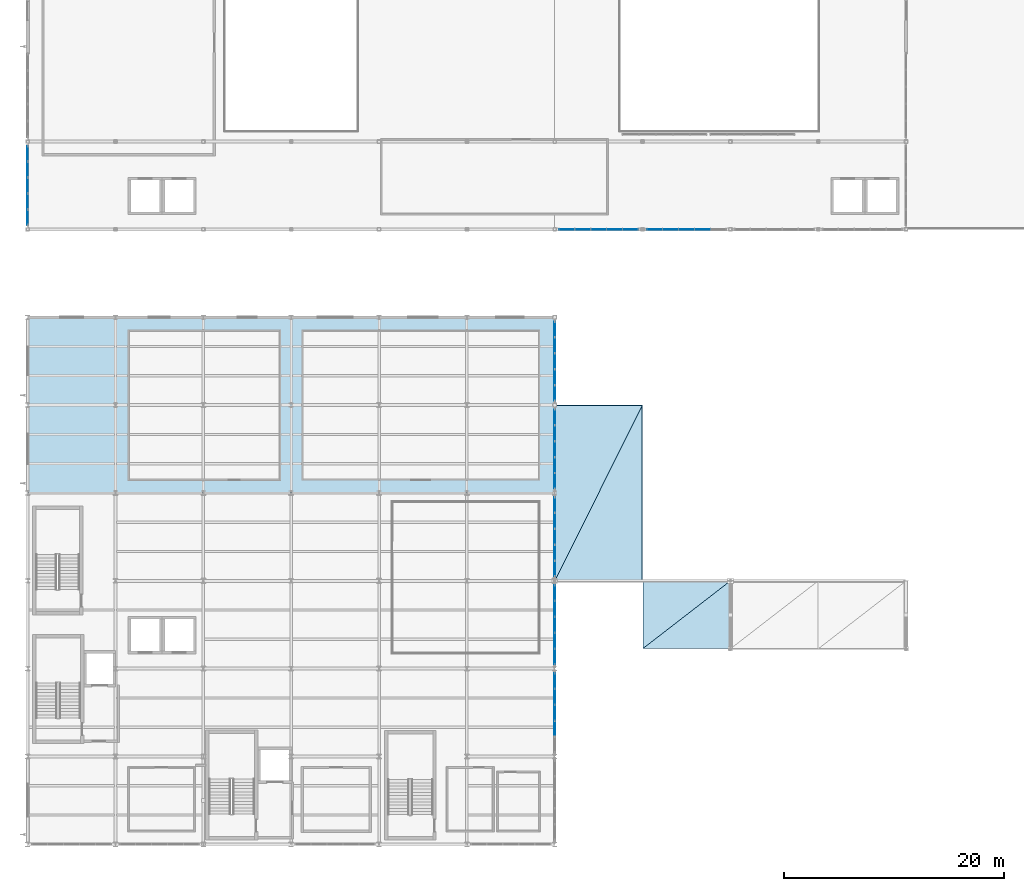
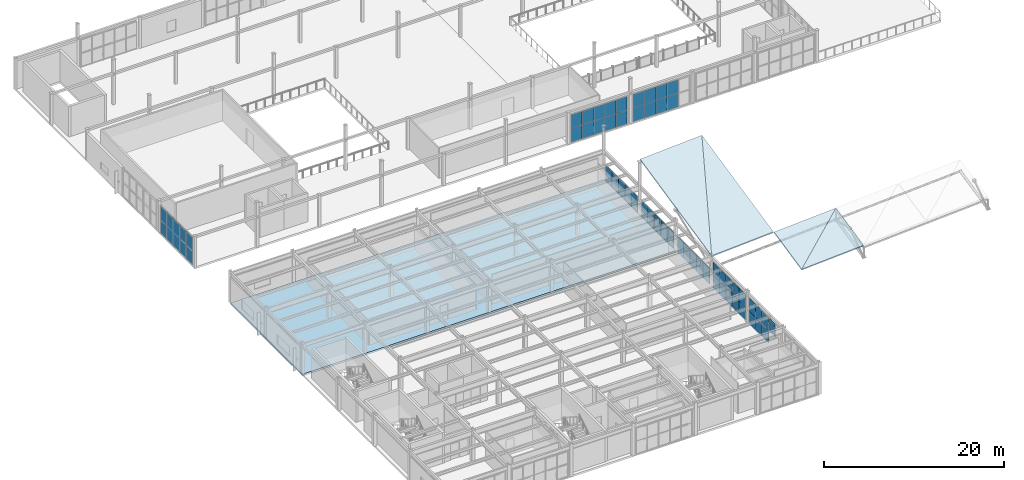
# One storey, part 47 of 83: 60 plates, 5 slabs, 8 elements without a shape of their own.
"""IFC4 building model written with IfcOpenShell, lengths in metres."""

from ifc_helpers import new_model, si_unit, direction, frame, origin, origin_2d, place, context, subcontext, project, spatial, polyline, rectangle, outline, extrude, material, layer, layer_set, type_object, element, aggregate, save


model = new_model("IFC4")

# Units and contexts
model_context = context("Model", 3, precision=1e-05, world=origin(), true_north=direction((0.0, 1.0)))
body_context = subcontext(model_context, "Body", "Model", "MODEL_VIEW")
ifc_project = project(units=[si_unit("LENGTHUNIT", "METRE"), si_unit("AREAUNIT", "SQUARE_METRE"), si_unit("VOLUMEUNIT", "CUBIC_METRE"), si_unit("PLANEANGLEUNIT", "RADIAN"), si_unit("MASSUNIT", "GRAM", prefix="KILO")], contexts=[model_context])

# Site, building, storey
site_placement = place(None, origin())
site = spatial("IfcSite", under=ifc_project, at=site_placement, CompositionType="ELEMENT")
building_placement = place(site_placement, origin())
building = spatial("IfcBuilding", under=site, at=building_placement, Name="Drelvath Fold Interchange", CompositionType="ELEMENT")
storey_placement = place(building_placement, frame((0.0, 0.0, 11.199951171875)))
storey = spatial("IfcBuildingStorey", under=building, at=storey_placement, Name="L02", CompositionType="ELEMENT", Elevation=11.199951171875)

# Curtain wall, plates
ifc_material_1 = material(Name="Anodized Aluminium 6063-T6", Category="aluminium")
curtain_wall_type_1 = type_object("IfcCurtainWallType", Name="CW-CON-520", PredefinedType="USERDEFINED", material=ifc_material_1)
curtain_wall_1_placement = place(storey_placement, origin())
curtain_wall_1 = element("IfcCurtainWall", 1, at=curtain_wall_1_placement, inside=storey, type_object=curtain_wall_type_1, Name="Curtain wall CW-V1-L02-W59", ObjectType="UNITISED CURTAIN WALL", PredefinedType="USERDEFINED")
ifc_material_2 = material(Name="Low-Iron Insulated Laminated Glass", Category="glass")
ifc_layer_1 = layer(ifc_material_2, 0.05810546875, Name="Low-Iron Insulated Laminated Glass")
ifc_layer_set_1 = layer_set([ifc_layer_1], Name="Low-Iron Insulated Laminated Glass")
plate_type_1 = type_object("IfcPlateType", Name="CP-CON-B", PredefinedType="CURTAIN_PANEL", material=ifc_layer_set_1)
plate_1_placement = place(storey_placement, frame((4.0, 60.10791015625, 0.0400390625), z_axis=(0.0, 0.0, 1.0), x_axis=(0.0, 1.0, 0.0)))
plate_1 = element("IfcPlate", 2, at=plate_1_placement, type_object=plate_type_1, Name="CW-V1-L02-W59 glazed panel 0-0", PredefinedType="CURTAIN_PANEL", context=body_context, shape_type="SweptSolid", body=[
    extrude(rectangle(XDim=1.39599609375, YDim=0.05810546875, at=origin_2d()), origin(), (0.0, 0.0, 1.0), 1.85009765625),
])
plate_2_placement = place(storey_placement, frame((4.0, 60.10791015625, 1.909912109375), z_axis=(0.0, 0.0, 1.0), x_axis=(0.0, 1.0, 0.0)))
plate_2 = element("IfcPlate", 3, at=plate_2_placement, type_object=plate_type_1, Name="CW-V1-L02-W59 glazed panel 0-1", PredefinedType="CURTAIN_PANEL", context=body_context, shape_type="SweptSolid", body=[
    extrude(rectangle(XDim=1.39599609375, YDim=0.05810546875, at=origin_2d()), origin(), (0.0, 0.0, 1.0), 1.85009765625),
])
plate_3_placement = place(storey_placement, frame((4.0, 61.5439453125, 0.0400390625), z_axis=(0.0, 0.0, 1.0), x_axis=(0.0, 1.0, 0.0)))
plate_3 = element("IfcPlate", 4, at=plate_3_placement, type_object=plate_type_1, Name="CW-V1-L02-W59 glazed panel 1-0", PredefinedType="CURTAIN_PANEL", context=body_context, shape_type="SweptSolid", body=[
    extrude(rectangle(XDim=1.43603515625, YDim=0.05810546875, at=origin_2d()), origin(), (0.0, 0.0, 1.0), 1.85009765625),
])
plate_4_placement = place(storey_placement, frame((4.0, 61.5439453125, 1.909912109375), z_axis=(0.0, 0.0, 1.0), x_axis=(0.0, 1.0, 0.0)))
plate_4 = element("IfcPlate", 5, at=plate_4_placement, type_object=plate_type_1, Name="CW-V1-L02-W59 glazed panel 1-1", PredefinedType="CURTAIN_PANEL", context=body_context, shape_type="SweptSolid", body=[
    extrude(rectangle(XDim=1.43603515625, YDim=0.05810546875, at=origin_2d()), origin(), (0.0, 0.0, 1.0), 1.85009765625),
])
plate_5_placement = place(storey_placement, frame((4.0, 63.0, 0.0400390625), z_axis=(0.0, 0.0, 1.0), x_axis=(0.0, 1.0, 0.0)))
plate_5 = element("IfcPlate", 6, at=plate_5_placement, type_object=plate_type_1, Name="CW-V1-L02-W59 glazed panel 2-0", PredefinedType="CURTAIN_PANEL", context=body_context, shape_type="SweptSolid", body=[
    extrude(rectangle(XDim=1.43603515625, YDim=0.05810546875, at=origin_2d()), origin(), (0.0, 0.0, 1.0), 1.85009765625),
])
plate_6_placement = place(storey_placement, frame((4.0, 63.0, 1.909912109375), z_axis=(0.0, 0.0, 1.0), x_axis=(0.0, 1.0, 0.0)))
plate_6 = element("IfcPlate", 7, at=plate_6_placement, type_object=plate_type_1, Name="CW-V1-L02-W59 glazed panel 2-1", PredefinedType="CURTAIN_PANEL", context=body_context, shape_type="SweptSolid", body=[
    extrude(rectangle(XDim=1.43603515625, YDim=0.05810546875, at=origin_2d()), origin(), (0.0, 0.0, 1.0), 1.85009765625),
])
plate_7_placement = place(storey_placement, frame((4.0, 64.4560546875, 0.0400390625), z_axis=(0.0, 0.0, 1.0), x_axis=(0.0, 1.0, 0.0)))
plate_7 = element("IfcPlate", 8, at=plate_7_placement, type_object=plate_type_1, Name="CW-V1-L02-W59 glazed panel 3-0", PredefinedType="CURTAIN_PANEL", context=body_context, shape_type="SweptSolid", body=[
    extrude(rectangle(XDim=1.43603515625, YDim=0.05810546875, at=origin_2d()), origin(), (0.0, 0.0, 1.0), 1.85009765625),
])
plate_8_placement = place(storey_placement, frame((4.0, 64.4560546875, 1.909912109375), z_axis=(0.0, 0.0, 1.0), x_axis=(0.0, 1.0, 0.0)))
plate_8 = element("IfcPlate", 9, at=plate_8_placement, type_object=plate_type_1, Name="CW-V1-L02-W59 glazed panel 3-1", PredefinedType="CURTAIN_PANEL", context=body_context, shape_type="SweptSolid", body=[
    extrude(rectangle(XDim=1.43603515625, YDim=0.05810546875, at=origin_2d()), origin(), (0.0, 0.0, 1.0), 1.85009765625),
])
plate_9_placement = place(storey_placement, frame((4.0, 65.89208984375, 0.0400390625), z_axis=(0.0, 0.0, 1.0), x_axis=(0.0, 1.0, 0.0)))
plate_9 = element("IfcPlate", 10, at=plate_9_placement, type_object=plate_type_1, Name="CW-V1-L02-W59 glazed panel 4-0", PredefinedType="CURTAIN_PANEL", context=body_context, shape_type="SweptSolid", body=[
    extrude(rectangle(XDim=1.39599609375, YDim=0.05810546875, at=origin_2d()), origin(), (0.0, 0.0, 1.0), 1.85009765625),
])
plate_10_placement = place(storey_placement, frame((4.0, 65.89208984375, 1.909912109375), z_axis=(0.0, 0.0, 1.0), x_axis=(0.0, 1.0, 0.0)))
plate_10 = element("IfcPlate", 11, at=plate_10_placement, type_object=plate_type_1, Name="CW-V1-L02-W59 glazed panel 4-1", PredefinedType="CURTAIN_PANEL", context=body_context, shape_type="SweptSolid", body=[
    extrude(rectangle(XDim=1.39599609375, YDim=0.05810546875, at=origin_2d()), origin(), (0.0, 0.0, 1.0), 1.85009765625),
])
aggregate(curtain_wall_1, [plate_1, plate_2, plate_3, plate_4, plate_5, plate_6, plate_7, plate_8, plate_9, plate_10])

curtain_wall_type_2 = type_object("IfcCurtainWallType", Name="CW-CON-440", PredefinedType="USERDEFINED", material=ifc_material_1)
curtain_wall_2_placement = place(storey_placement, origin())
curtain_wall_2 = element("IfcCurtainWall", 12, at=curtain_wall_2_placement, inside=storey, type_object=curtain_wall_type_2, Name="Curtain wall CW-V1S-L02-X52", ObjectType="UNITISED CURTAIN WALL", PredefinedType="USERDEFINED")
plate_11_placement = place(storey_placement, frame((53.10791015625, 59.0, 0.0400390625), z_axis=(0.0, 0.0, 1.0), x_axis=(1.0, 0.0, 0.0)))
plate_11 = element("IfcPlate", 13, at=plate_11_placement, type_object=plate_type_1, Name="CW-V1S-L02-X52 glazed panel 0-0", PredefinedType="CURTAIN_PANEL", context=body_context, shape_type="SweptSolid", body=[
    extrude(rectangle(XDim=1.39599609375, YDim=0.05810546875, at=origin_2d()), origin(), (0.0, 0.0, 1.0), 1.85009765625),
])
plate_12_placement = place(storey_placement, frame((53.10791015625, 59.0, 1.909912109375), z_axis=(0.0, 0.0, 1.0), x_axis=(1.0, 0.0, 0.0)))
plate_12 = element("IfcPlate", 14, at=plate_12_placement, type_object=plate_type_1, Name="CW-V1S-L02-X52 glazed panel 0-1", PredefinedType="CURTAIN_PANEL", context=body_context, shape_type="SweptSolid", body=[
    extrude(rectangle(XDim=1.39599609375, YDim=0.05810546875, at=origin_2d()), origin(), (0.0, 0.0, 1.0), 1.85009765625),
])
plate_13_placement = place(storey_placement, frame((54.5439453125, 59.0, 0.0400390625), z_axis=(0.0, 0.0, 1.0), x_axis=(1.0, 0.0, 0.0)))
plate_13 = element("IfcPlate", 15, at=plate_13_placement, type_object=plate_type_1, Name="CW-V1S-L02-X52 glazed panel 1-0", PredefinedType="CURTAIN_PANEL", context=body_context, shape_type="SweptSolid", body=[
    extrude(rectangle(XDim=1.43603515625, YDim=0.05810546875, at=origin_2d()), origin(), (0.0, 0.0, 1.0), 1.85009765625),
])
plate_14_placement = place(storey_placement, frame((54.5439453125, 59.0, 1.909912109375), z_axis=(0.0, 0.0, 1.0), x_axis=(1.0, 0.0, 0.0)))
plate_14 = element("IfcPlate", 16, at=plate_14_placement, type_object=plate_type_1, Name="CW-V1S-L02-X52 glazed panel 1-1", PredefinedType="CURTAIN_PANEL", context=body_context, shape_type="SweptSolid", body=[
    extrude(rectangle(XDim=1.43603515625, YDim=0.05810546875, at=origin_2d()), origin(), (0.0, 0.0, 1.0), 1.85009765625),
])
plate_15_placement = place(storey_placement, frame((56.0, 59.0, 0.0400390625), z_axis=(0.0, 0.0, 1.0), x_axis=(1.0, 0.0, 0.0)))
plate_15 = element("IfcPlate", 17, at=plate_15_placement, type_object=plate_type_1, Name="CW-V1S-L02-X52 glazed panel 2-0", PredefinedType="CURTAIN_PANEL", context=body_context, shape_type="SweptSolid", body=[
    extrude(rectangle(XDim=1.43603515625, YDim=0.05810546875, at=origin_2d()), origin(), (0.0, 0.0, 1.0), 1.85009765625),
])
plate_16_placement = place(storey_placement, frame((56.0, 59.0, 1.909912109375), z_axis=(0.0, 0.0, 1.0), x_axis=(1.0, 0.0, 0.0)))
plate_16 = element("IfcPlate", 18, at=plate_16_placement, type_object=plate_type_1, Name="CW-V1S-L02-X52 glazed panel 2-1", PredefinedType="CURTAIN_PANEL", context=body_context, shape_type="SweptSolid", body=[
    extrude(rectangle(XDim=1.43603515625, YDim=0.05810546875, at=origin_2d()), origin(), (0.0, 0.0, 1.0), 1.85009765625),
])
plate_17_placement = place(storey_placement, frame((57.4560546875, 59.0, 0.0400390625), z_axis=(0.0, 0.0, 1.0), x_axis=(1.0, 0.0, 0.0)))
plate_17 = element("IfcPlate", 19, at=plate_17_placement, type_object=plate_type_1, Name="CW-V1S-L02-X52 glazed panel 3-0", PredefinedType="CURTAIN_PANEL", context=body_context, shape_type="SweptSolid", body=[
    extrude(rectangle(XDim=1.43603515625, YDim=0.05810546875, at=origin_2d()), origin(), (0.0, 0.0, 1.0), 1.85009765625),
])
plate_18_placement = place(storey_placement, frame((57.4560546875, 59.0, 1.909912109375), z_axis=(0.0, 0.0, 1.0), x_axis=(1.0, 0.0, 0.0)))
plate_18 = element("IfcPlate", 20, at=plate_18_placement, type_object=plate_type_1, Name="CW-V1S-L02-X52 glazed panel 3-1", PredefinedType="CURTAIN_PANEL", context=body_context, shape_type="SweptSolid", body=[
    extrude(rectangle(XDim=1.43603515625, YDim=0.05810546875, at=origin_2d()), origin(), (0.0, 0.0, 1.0), 1.85009765625),
])
plate_19_placement = place(storey_placement, frame((58.89208984375, 59.0, 0.0400390625), z_axis=(0.0, 0.0, 1.0), x_axis=(1.0, 0.0, 0.0)))
plate_19 = element("IfcPlate", 21, at=plate_19_placement, type_object=plate_type_1, Name="CW-V1S-L02-X52 glazed panel 4-0", PredefinedType="CURTAIN_PANEL", context=body_context, shape_type="SweptSolid", body=[
    extrude(rectangle(XDim=1.39599609375, YDim=0.05810546875, at=origin_2d()), origin(), (0.0, 0.0, 1.0), 1.85009765625),
])
plate_20_placement = place(storey_placement, frame((58.89208984375, 59.0, 1.909912109375), z_axis=(0.0, 0.0, 1.0), x_axis=(1.0, 0.0, 0.0)))
plate_20 = element("IfcPlate", 22, at=plate_20_placement, type_object=plate_type_1, Name="CW-V1S-L02-X52 glazed panel 4-1", PredefinedType="CURTAIN_PANEL", context=body_context, shape_type="SweptSolid", body=[
    extrude(rectangle(XDim=1.39599609375, YDim=0.05810546875, at=origin_2d()), origin(), (0.0, 0.0, 1.0), 1.85009765625),
])
aggregate(curtain_wall_2, [plate_11, plate_12, plate_13, plate_14, plate_15, plate_16, plate_17, plate_18, plate_19, plate_20])

curtain_wall_3_placement = place(storey_placement, origin())
curtain_wall_3 = element("IfcCurtainWall", 23, at=curtain_wall_3_placement, inside=storey, type_object=curtain_wall_type_2, Name="Curtain wall CW-V1S-L02-X60", ObjectType="UNITISED CURTAIN WALL", PredefinedType="USERDEFINED")
plate_21_placement = place(storey_placement, frame((61.10791015625, 59.0, 0.0400390625), z_axis=(0.0, 0.0, 1.0), x_axis=(1.0, 0.0, 0.0)))
plate_21 = element("IfcPlate", 24, at=plate_21_placement, type_object=plate_type_1, Name="CW-V1S-L02-X60 glazed panel 0-0", PredefinedType="CURTAIN_PANEL", context=body_context, shape_type="SweptSolid", body=[
    extrude(rectangle(XDim=1.39599609375, YDim=0.05810546875, at=origin_2d()), origin(), (0.0, 0.0, 1.0), 1.85009765625),
])
plate_22_placement = place(storey_placement, frame((61.10791015625, 59.0, 1.909912109375), z_axis=(0.0, 0.0, 1.0), x_axis=(1.0, 0.0, 0.0)))
plate_22 = element("IfcPlate", 25, at=plate_22_placement, type_object=plate_type_1, Name="CW-V1S-L02-X60 glazed panel 0-1", PredefinedType="CURTAIN_PANEL", context=body_context, shape_type="SweptSolid", body=[
    extrude(rectangle(XDim=1.39599609375, YDim=0.05810546875, at=origin_2d()), origin(), (0.0, 0.0, 1.0), 1.85009765625),
])
plate_23_placement = place(storey_placement, frame((62.5439453125, 59.0, 0.0400390625), z_axis=(0.0, 0.0, 1.0), x_axis=(1.0, 0.0, 0.0)))
plate_23 = element("IfcPlate", 26, at=plate_23_placement, type_object=plate_type_1, Name="CW-V1S-L02-X60 glazed panel 1-0", PredefinedType="CURTAIN_PANEL", context=body_context, shape_type="SweptSolid", body=[
    extrude(rectangle(XDim=1.43603515625, YDim=0.05810546875, at=origin_2d()), origin(), (0.0, 0.0, 1.0), 1.85009765625),
])
plate_24_placement = place(storey_placement, frame((62.5439453125, 59.0, 1.909912109375), z_axis=(0.0, 0.0, 1.0), x_axis=(1.0, 0.0, 0.0)))
plate_24 = element("IfcPlate", 27, at=plate_24_placement, type_object=plate_type_1, Name="CW-V1S-L02-X60 glazed panel 1-1", PredefinedType="CURTAIN_PANEL", context=body_context, shape_type="SweptSolid", body=[
    extrude(rectangle(XDim=1.43603515625, YDim=0.05810546875, at=origin_2d()), origin(), (0.0, 0.0, 1.0), 1.85009765625),
])
plate_25_placement = place(storey_placement, frame((64.0, 59.0, 0.0400390625), z_axis=(0.0, 0.0, 1.0), x_axis=(1.0, 0.0, 0.0)))
plate_25 = element("IfcPlate", 28, at=plate_25_placement, type_object=plate_type_1, Name="CW-V1S-L02-X60 glazed panel 2-0", PredefinedType="CURTAIN_PANEL", context=body_context, shape_type="SweptSolid", body=[
    extrude(rectangle(XDim=1.43603515625, YDim=0.05810546875, at=origin_2d()), origin(), (0.0, 0.0, 1.0), 1.85009765625),
])
plate_26_placement = place(storey_placement, frame((64.0, 59.0, 1.909912109375), z_axis=(0.0, 0.0, 1.0), x_axis=(1.0, 0.0, 0.0)))
plate_26 = element("IfcPlate", 29, at=plate_26_placement, type_object=plate_type_1, Name="CW-V1S-L02-X60 glazed panel 2-1", PredefinedType="CURTAIN_PANEL", context=body_context, shape_type="SweptSolid", body=[
    extrude(rectangle(XDim=1.43603515625, YDim=0.05810546875, at=origin_2d()), origin(), (0.0, 0.0, 1.0), 1.85009765625),
])
plate_27_placement = place(storey_placement, frame((65.4560546875, 59.0, 0.0400390625), z_axis=(0.0, 0.0, 1.0), x_axis=(1.0, 0.0, 0.0)))
plate_27 = element("IfcPlate", 30, at=plate_27_placement, type_object=plate_type_1, Name="CW-V1S-L02-X60 glazed panel 3-0", PredefinedType="CURTAIN_PANEL", context=body_context, shape_type="SweptSolid", body=[
    extrude(rectangle(XDim=1.43603515625, YDim=0.05810546875, at=origin_2d()), origin(), (0.0, 0.0, 1.0), 1.85009765625),
])
plate_28_placement = place(storey_placement, frame((65.4560546875, 59.0, 1.909912109375), z_axis=(0.0, 0.0, 1.0), x_axis=(1.0, 0.0, 0.0)))
plate_28 = element("IfcPlate", 31, at=plate_28_placement, type_object=plate_type_1, Name="CW-V1S-L02-X60 glazed panel 3-1", PredefinedType="CURTAIN_PANEL", context=body_context, shape_type="SweptSolid", body=[
    extrude(rectangle(XDim=1.43603515625, YDim=0.05810546875, at=origin_2d()), origin(), (0.0, 0.0, 1.0), 1.85009765625),
])
aggregate(curtain_wall_3, [plate_21, plate_22, plate_23, plate_24, plate_25, plate_26, plate_27, plate_28])

curtain_wall_type_3 = type_object("IfcCurtainWallType", Name="CW-OPS-UPP", PredefinedType="USERDEFINED", material=ifc_material_1)
curtain_wall_4_placement = place(storey_placement, origin())
curtain_wall_4 = element("IfcCurtainWall", 32, at=curtain_wall_4_placement, inside=storey, type_object=curtain_wall_type_3, Name="Curtain wall CW-V5-L02-E11", ObjectType="UNITISED CURTAIN WALL", PredefinedType="USERDEFINED")
ifc_layer_2 = layer(ifc_material_2, 0.068115234375, Name="Low-Iron Insulated Laminated Glass")
ifc_layer_set_2 = layer_set([ifc_layer_2], Name="Low-Iron Insulated Laminated Glass")
plate_type_2 = type_object("IfcPlateType", Name="CP-OPS-A", PredefinedType="CURTAIN_PANEL", material=ifc_layer_set_2)
plate_29_placement = place(storey_placement, frame((52.0, 13.5439453125, 1.785400390625), z_axis=(0.0, 0.0, 1.0), x_axis=(0.0, 1.0, 0.0)))
plate_29 = element("IfcPlate", 33, at=plate_29_placement, type_object=plate_type_2, Name="CW-V5-L02-E11 glazed panel 1-1", PredefinedType="CURTAIN_PANEL", context=body_context, shape_type="SweptSolid", body=[
    extrude(rectangle(XDim=1.43603515625, YDim=0.068115234375, at=origin_2d()), origin(), (0.0, 0.0, 1.0), 1.72509765625),
])
plate_30_placement = place(storey_placement, frame((52.0, 15.0, 0.03955078125), z_axis=(0.0, 0.0, 1.0), x_axis=(0.0, 1.0, 0.0)))
plate_30 = element("IfcPlate", 34, at=plate_30_placement, type_object=plate_type_2, Name="CW-V5-L02-E11 glazed panel 2-0", PredefinedType="CURTAIN_PANEL", context=body_context, shape_type="SweptSolid", body=[
    extrude(rectangle(XDim=1.43603515625, YDim=0.068115234375, at=origin_2d()), origin(), (0.0, 0.0, 1.0), 1.72509765625),
])
plate_31_placement = place(storey_placement, frame((52.0, 15.0, 1.785400390625), z_axis=(0.0, 0.0, 1.0), x_axis=(0.0, 1.0, 0.0)))
plate_31 = element("IfcPlate", 35, at=plate_31_placement, type_object=plate_type_2, Name="CW-V5-L02-E11 glazed panel 2-1", PredefinedType="CURTAIN_PANEL", context=body_context, shape_type="SweptSolid", body=[
    extrude(rectangle(XDim=1.43603515625, YDim=0.068115234375, at=origin_2d()), origin(), (0.0, 0.0, 1.0), 1.72509765625),
])
plate_32_placement = place(storey_placement, frame((52.0, 16.4560546875, 0.03955078125), z_axis=(0.0, 0.0, 1.0), x_axis=(0.0, 1.0, 0.0)))
plate_32 = element("IfcPlate", 36, at=plate_32_placement, type_object=plate_type_2, Name="CW-V5-L02-E11 glazed panel 3-0", PredefinedType="CURTAIN_PANEL", context=body_context, shape_type="SweptSolid", body=[
    extrude(rectangle(XDim=1.43603515625, YDim=0.068115234375, at=origin_2d()), origin(), (0.0, 0.0, 1.0), 1.72509765625),
])
plate_33_placement = place(storey_placement, frame((52.0, 16.4560546875, 1.785400390625), z_axis=(0.0, 0.0, 1.0), x_axis=(0.0, 1.0, 0.0)))
plate_33 = element("IfcPlate", 37, at=plate_33_placement, type_object=plate_type_2, Name="CW-V5-L02-E11 glazed panel 3-1", PredefinedType="CURTAIN_PANEL", context=body_context, shape_type="SweptSolid", body=[
    extrude(rectangle(XDim=1.43603515625, YDim=0.068115234375, at=origin_2d()), origin(), (0.0, 0.0, 1.0), 1.72509765625),
])
plate_34_placement = place(storey_placement, frame((52.0, 17.89208984375, 0.03955078125), z_axis=(0.0, 0.0, 1.0), x_axis=(0.0, 1.0, 0.0)))
plate_34 = element("IfcPlate", 38, at=plate_34_placement, type_object=plate_type_2, Name="CW-V5-L02-E11 glazed panel 4-0", PredefinedType="CURTAIN_PANEL", context=body_context, shape_type="SweptSolid", body=[
    extrude(rectangle(XDim=1.39599609375, YDim=0.068115234375, at=origin_2d()), origin(), (0.0, 0.0, 1.0), 1.72509765625),
])
plate_35_placement = place(storey_placement, frame((52.0, 17.89208984375, 1.785400390625), z_axis=(0.0, 0.0, 1.0), x_axis=(0.0, 1.0, 0.0)))
plate_35 = element("IfcPlate", 39, at=plate_35_placement, type_object=plate_type_2, Name="CW-V5-L02-E11 glazed panel 4-1", PredefinedType="CURTAIN_PANEL", context=body_context, shape_type="SweptSolid", body=[
    extrude(rectangle(XDim=1.39599609375, YDim=0.068115234375, at=origin_2d()), origin(), (0.0, 0.0, 1.0), 1.72509765625),
])
aggregate(curtain_wall_4, [plate_29, plate_30, plate_31, plate_32, plate_33, plate_34, plate_35])

curtain_wall_5_placement = place(storey_placement, origin())
curtain_wall_5 = element("IfcCurtainWall", 40, at=curtain_wall_5_placement, inside=storey, type_object=curtain_wall_type_3, Name="Curtain wall CW-V5-L02-E19", ObjectType="UNITISED CURTAIN WALL", PredefinedType="USERDEFINED")
plate_36_placement = place(storey_placement, frame((52.0, 20.10791015625, 0.03955078125), z_axis=(0.0, 0.0, 1.0), x_axis=(0.0, 1.0, 0.0)))
plate_36 = element("IfcPlate", 41, at=plate_36_placement, type_object=plate_type_2, Name="CW-V5-L02-E19 glazed panel 0-0", PredefinedType="CURTAIN_PANEL", context=body_context, shape_type="SweptSolid", body=[
    extrude(rectangle(XDim=1.39599609375, YDim=0.068115234375, at=origin_2d()), origin(), (0.0, 0.0, 1.0), 1.72509765625),
])
plate_37_placement = place(storey_placement, frame((52.0, 20.10791015625, 1.785400390625), z_axis=(0.0, 0.0, 1.0), x_axis=(0.0, 1.0, 0.0)))
plate_37 = element("IfcPlate", 42, at=plate_37_placement, type_object=plate_type_2, Name="CW-V5-L02-E19 glazed panel 0-1", PredefinedType="CURTAIN_PANEL", context=body_context, shape_type="SweptSolid", body=[
    extrude(rectangle(XDim=1.39599609375, YDim=0.068115234375, at=origin_2d()), origin(), (0.0, 0.0, 1.0), 1.72509765625),
])
plate_38_placement = place(storey_placement, frame((52.0, 21.5439453125, 0.03955078125), z_axis=(0.0, 0.0, 1.0), x_axis=(0.0, 1.0, 0.0)))
plate_38 = element("IfcPlate", 43, at=plate_38_placement, type_object=plate_type_2, Name="CW-V5-L02-E19 glazed panel 1-0", PredefinedType="CURTAIN_PANEL", context=body_context, shape_type="SweptSolid", body=[
    extrude(rectangle(XDim=1.43603515625, YDim=0.068115234375, at=origin_2d()), origin(), (0.0, 0.0, 1.0), 1.72509765625),
])
plate_39_placement = place(storey_placement, frame((52.0, 21.5439453125, 1.785400390625), z_axis=(0.0, 0.0, 1.0), x_axis=(0.0, 1.0, 0.0)))
plate_39 = element("IfcPlate", 44, at=plate_39_placement, type_object=plate_type_2, Name="CW-V5-L02-E19 glazed panel 1-1", PredefinedType="CURTAIN_PANEL", context=body_context, shape_type="SweptSolid", body=[
    extrude(rectangle(XDim=1.43603515625, YDim=0.068115234375, at=origin_2d()), origin(), (0.0, 0.0, 1.0), 1.72509765625),
])
plate_40_placement = place(storey_placement, frame((52.0, 23.0, 0.03955078125), z_axis=(0.0, 0.0, 1.0), x_axis=(0.0, 1.0, 0.0)))
plate_40 = element("IfcPlate", 45, at=plate_40_placement, type_object=plate_type_2, Name="CW-V5-L02-E19 glazed panel 2-0", PredefinedType="CURTAIN_PANEL", context=body_context, shape_type="SweptSolid", body=[
    extrude(rectangle(XDim=1.43603515625, YDim=0.068115234375, at=origin_2d()), origin(), (0.0, 0.0, 1.0), 1.72509765625),
])
plate_41_placement = place(storey_placement, frame((52.0, 23.0, 1.785400390625), z_axis=(0.0, 0.0, 1.0), x_axis=(0.0, 1.0, 0.0)))
plate_41 = element("IfcPlate", 46, at=plate_41_placement, type_object=plate_type_2, Name="CW-V5-L02-E19 glazed panel 2-1", PredefinedType="CURTAIN_PANEL", context=body_context, shape_type="SweptSolid", body=[
    extrude(rectangle(XDim=1.43603515625, YDim=0.068115234375, at=origin_2d()), origin(), (0.0, 0.0, 1.0), 1.72509765625),
])
plate_42_placement = place(storey_placement, frame((52.0, 24.4560546875, 0.03955078125), z_axis=(0.0, 0.0, 1.0), x_axis=(0.0, 1.0, 0.0)))
plate_42 = element("IfcPlate", 47, at=plate_42_placement, type_object=plate_type_2, Name="CW-V5-L02-E19 glazed panel 3-0", PredefinedType="CURTAIN_PANEL", context=body_context, shape_type="SweptSolid", body=[
    extrude(rectangle(XDim=1.43603515625, YDim=0.068115234375, at=origin_2d()), origin(), (0.0, 0.0, 1.0), 1.72509765625),
])
plate_43_placement = place(storey_placement, frame((52.0, 24.4560546875, 1.785400390625), z_axis=(0.0, 0.0, 1.0), x_axis=(0.0, 1.0, 0.0)))
plate_43 = element("IfcPlate", 48, at=plate_43_placement, type_object=plate_type_2, Name="CW-V5-L02-E19 glazed panel 3-1", PredefinedType="CURTAIN_PANEL", context=body_context, shape_type="SweptSolid", body=[
    extrude(rectangle(XDim=1.43603515625, YDim=0.068115234375, at=origin_2d()), origin(), (0.0, 0.0, 1.0), 1.72509765625),
])
plate_44_placement = place(storey_placement, frame((52.0, 25.89208984375, 0.03955078125), z_axis=(0.0, 0.0, 1.0), x_axis=(0.0, 1.0, 0.0)))
plate_44 = element("IfcPlate", 49, at=plate_44_placement, type_object=plate_type_2, Name="CW-V5-L02-E19 glazed panel 4-0", PredefinedType="CURTAIN_PANEL", context=body_context, shape_type="SweptSolid", body=[
    extrude(rectangle(XDim=1.39599609375, YDim=0.068115234375, at=origin_2d()), origin(), (0.0, 0.0, 1.0), 1.72509765625),
])
plate_45_placement = place(storey_placement, frame((52.0, 25.89208984375, 1.785400390625), z_axis=(0.0, 0.0, 1.0), x_axis=(0.0, 1.0, 0.0)))
plate_45 = element("IfcPlate", 50, at=plate_45_placement, type_object=plate_type_2, Name="CW-V5-L02-E19 glazed panel 4-1", PredefinedType="CURTAIN_PANEL", context=body_context, shape_type="SweptSolid", body=[
    extrude(rectangle(XDim=1.39599609375, YDim=0.068115234375, at=origin_2d()), origin(), (0.0, 0.0, 1.0), 1.72509765625),
])
aggregate(curtain_wall_5, [plate_36, plate_37, plate_38, plate_39, plate_40, plate_41, plate_42, plate_43, plate_44, plate_45])

curtain_wall_6_placement = place(storey_placement, origin())
curtain_wall_6 = element("IfcCurtainWall", 51, at=curtain_wall_6_placement, inside=storey, type_object=curtain_wall_type_3, Name="Curtain wall CW-V5-L02-E27", ObjectType="UNITISED CURTAIN WALL", PredefinedType="USERDEFINED")
plate_46_placement = place(storey_placement, frame((52.0, 28.10791015625, 0.0400390625), z_axis=(0.0, 0.0, 1.0), x_axis=(0.0, 1.0, 0.0)))
plate_46 = element("IfcPlate", 52, at=plate_46_placement, type_object=plate_type_2, Name="CW-V5-L02-E27 glazed panel 0-0", PredefinedType="CURTAIN_PANEL", context=body_context, shape_type="SweptSolid", body=[
    extrude(rectangle(XDim=1.39599609375, YDim=0.068115234375, at=origin_2d()), origin(), (0.0, 0.0, 1.0), 2.169921875),
])
plate_47_placement = place(storey_placement, frame((52.0, 29.5439453125, 0.0400390625), z_axis=(0.0, 0.0, 1.0), x_axis=(0.0, 1.0, 0.0)))
plate_47 = element("IfcPlate", 53, at=plate_47_placement, type_object=plate_type_2, Name="CW-V5-L02-E27 glazed panel 1-0", PredefinedType="CURTAIN_PANEL", context=body_context, shape_type="SweptSolid", body=[
    extrude(rectangle(XDim=1.43603515625, YDim=0.068115234375, at=origin_2d()), origin(), (0.0, 0.0, 1.0), 2.169921875),
])
plate_48_placement = place(storey_placement, frame((52.0, 31.0, 0.0400390625), z_axis=(0.0, 0.0, 1.0), x_axis=(0.0, 1.0, 0.0)))
plate_48 = element("IfcPlate", 54, at=plate_48_placement, type_object=plate_type_2, Name="CW-V5-L02-E27 glazed panel 2-0", PredefinedType="CURTAIN_PANEL", context=body_context, shape_type="SweptSolid", body=[
    extrude(rectangle(XDim=1.43603515625, YDim=0.068115234375, at=origin_2d()), origin(), (0.0, 0.0, 1.0), 2.169921875),
])
plate_49_placement = place(storey_placement, frame((52.0, 32.4560546875, 0.0400390625), z_axis=(0.0, 0.0, 1.0), x_axis=(0.0, 1.0, 0.0)))
plate_49 = element("IfcPlate", 55, at=plate_49_placement, type_object=plate_type_2, Name="CW-V5-L02-E27 glazed panel 3-0", PredefinedType="CURTAIN_PANEL", context=body_context, shape_type="SweptSolid", body=[
    extrude(rectangle(XDim=1.43603515625, YDim=0.068115234375, at=origin_2d()), origin(), (0.0, 0.0, 1.0), 2.169921875),
])
plate_50_placement = place(storey_placement, frame((52.0, 33.89208984375, 0.0400390625), z_axis=(0.0, 0.0, 1.0), x_axis=(0.0, 1.0, 0.0)))
plate_50 = element("IfcPlate", 56, at=plate_50_placement, type_object=plate_type_2, Name="CW-V5-L02-E27 glazed panel 4-0", PredefinedType="CURTAIN_PANEL", context=body_context, shape_type="SweptSolid", body=[
    extrude(rectangle(XDim=1.39599609375, YDim=0.068115234375, at=origin_2d()), origin(), (0.0, 0.0, 1.0), 2.169921875),
])
aggregate(curtain_wall_6, [plate_46, plate_47, plate_48, plate_49, plate_50])

curtain_wall_7_placement = place(storey_placement, origin())
curtain_wall_7 = element("IfcCurtainWall", 57, at=curtain_wall_7_placement, inside=storey, type_object=curtain_wall_type_3, Name="Curtain wall CW-V5-L02-E35", ObjectType="UNITISED CURTAIN WALL", PredefinedType="USERDEFINED")
plate_51_placement = place(storey_placement, frame((52.0, 36.10791015625, 0.0400390625), z_axis=(0.0, 0.0, 1.0), x_axis=(0.0, 1.0, 0.0)))
plate_51 = element("IfcPlate", 58, at=plate_51_placement, type_object=plate_type_2, Name="CW-V5-L02-E35 glazed panel 0-0", PredefinedType="CURTAIN_PANEL", context=body_context, shape_type="SweptSolid", body=[
    extrude(rectangle(XDim=1.39599609375, YDim=0.068115234375, at=origin_2d()), origin(), (0.0, 0.0, 1.0), 2.169921875),
])
plate_52_placement = place(storey_placement, frame((52.0, 37.5439453125, 0.0400390625), z_axis=(0.0, 0.0, 1.0), x_axis=(0.0, 1.0, 0.0)))
plate_52 = element("IfcPlate", 59, at=plate_52_placement, type_object=plate_type_2, Name="CW-V5-L02-E35 glazed panel 1-0", PredefinedType="CURTAIN_PANEL", context=body_context, shape_type="SweptSolid", body=[
    extrude(rectangle(XDim=1.43603515625, YDim=0.068115234375, at=origin_2d()), origin(), (0.0, 0.0, 1.0), 2.169921875),
])
plate_53_placement = place(storey_placement, frame((52.0, 39.0, 0.0400390625), z_axis=(0.0, 0.0, 1.0), x_axis=(0.0, 1.0, 0.0)))
plate_53 = element("IfcPlate", 60, at=plate_53_placement, type_object=plate_type_2, Name="CW-V5-L02-E35 glazed panel 2-0", PredefinedType="CURTAIN_PANEL", context=body_context, shape_type="SweptSolid", body=[
    extrude(rectangle(XDim=1.43603515625, YDim=0.068115234375, at=origin_2d()), origin(), (0.0, 0.0, 1.0), 2.169921875),
])
plate_54_placement = place(storey_placement, frame((52.0, 40.4560546875, 0.0400390625), z_axis=(0.0, 0.0, 1.0), x_axis=(0.0, 1.0, 0.0)))
plate_54 = element("IfcPlate", 61, at=plate_54_placement, type_object=plate_type_2, Name="CW-V5-L02-E35 glazed panel 3-0", PredefinedType="CURTAIN_PANEL", context=body_context, shape_type="SweptSolid", body=[
    extrude(rectangle(XDim=1.43603515625, YDim=0.068115234375, at=origin_2d()), origin(), (0.0, 0.0, 1.0), 2.169921875),
])
plate_55_placement = place(storey_placement, frame((52.0, 41.89208984375, 0.0400390625), z_axis=(0.0, 0.0, 1.0), x_axis=(0.0, 1.0, 0.0)))
plate_55 = element("IfcPlate", 62, at=plate_55_placement, type_object=plate_type_2, Name="CW-V5-L02-E35 glazed panel 4-0", PredefinedType="CURTAIN_PANEL", context=body_context, shape_type="SweptSolid", body=[
    extrude(rectangle(XDim=1.39599609375, YDim=0.068115234375, at=origin_2d()), origin(), (0.0, 0.0, 1.0), 2.169921875),
])
aggregate(curtain_wall_7, [plate_51, plate_52, plate_53, plate_54, plate_55])

curtain_wall_8_placement = place(storey_placement, origin())
curtain_wall_8 = element("IfcCurtainWall", 63, at=curtain_wall_8_placement, inside=storey, type_object=curtain_wall_type_3, Name="Curtain wall CW-V5-L02-E43", ObjectType="UNITISED CURTAIN WALL", PredefinedType="USERDEFINED")
plate_56_placement = place(storey_placement, frame((52.0, 44.10791015625, 0.0400390625), z_axis=(0.0, 0.0, 1.0), x_axis=(0.0, 1.0, 0.0)))
plate_56 = element("IfcPlate", 64, at=plate_56_placement, type_object=plate_type_2, Name="CW-V5-L02-E43 glazed panel 0-0", PredefinedType="CURTAIN_PANEL", context=body_context, shape_type="SweptSolid", body=[
    extrude(rectangle(XDim=1.39599609375, YDim=0.068115234375, at=origin_2d()), origin(), (0.0, 0.0, 1.0), 2.169921875),
])
plate_57_placement = place(storey_placement, frame((52.0, 45.5439453125, 0.0400390625), z_axis=(0.0, 0.0, 1.0), x_axis=(0.0, 1.0, 0.0)))
plate_57 = element("IfcPlate", 65, at=plate_57_placement, type_object=plate_type_2, Name="CW-V5-L02-E43 glazed panel 1-0", PredefinedType="CURTAIN_PANEL", context=body_context, shape_type="SweptSolid", body=[
    extrude(rectangle(XDim=1.43603515625, YDim=0.068115234375, at=origin_2d()), origin(), (0.0, 0.0, 1.0), 2.169921875),
])
plate_58_placement = place(storey_placement, frame((52.0, 47.0, 0.0400390625), z_axis=(0.0, 0.0, 1.0), x_axis=(0.0, 1.0, 0.0)))
plate_58 = element("IfcPlate", 66, at=plate_58_placement, type_object=plate_type_2, Name="CW-V5-L02-E43 glazed panel 2-0", PredefinedType="CURTAIN_PANEL", context=body_context, shape_type="SweptSolid", body=[
    extrude(rectangle(XDim=1.43603515625, YDim=0.068115234375, at=origin_2d()), origin(), (0.0, 0.0, 1.0), 2.169921875),
])
plate_59_placement = place(storey_placement, frame((52.0, 48.4560546875, 0.0400390625), z_axis=(0.0, 0.0, 1.0), x_axis=(0.0, 1.0, 0.0)))
plate_59 = element("IfcPlate", 67, at=plate_59_placement, type_object=plate_type_2, Name="CW-V5-L02-E43 glazed panel 3-0", PredefinedType="CURTAIN_PANEL", context=body_context, shape_type="SweptSolid", body=[
    extrude(rectangle(XDim=1.43603515625, YDim=0.068115234375, at=origin_2d()), origin(), (0.0, 0.0, 1.0), 2.169921875),
])
plate_60_placement = place(storey_placement, frame((52.0, 49.89208984375, 0.0400390625), z_axis=(0.0, 0.0, 1.0), x_axis=(0.0, 1.0, 0.0)))
plate_60 = element("IfcPlate", 68, at=plate_60_placement, type_object=plate_type_2, Name="CW-V5-L02-E43 glazed panel 4-0", PredefinedType="CURTAIN_PANEL", context=body_context, shape_type="SweptSolid", body=[
    extrude(rectangle(XDim=1.39599609375, YDim=0.068115234375, at=origin_2d()), origin(), (0.0, 0.0, 1.0), 2.169921875),
])
aggregate(curtain_wall_8, [plate_56, plate_57, plate_58, plate_59, plate_60])

# Slabs
ifc_material_3 = material(Name="Concrete f'c 35 MPa (5000 psi)", Category="concrete")
ifc_layer_3 = layer(ifc_material_3, 0.25, Name="Concrete f'c 35 MPa (5000 psi)")
ifc_layer_set_3 = layer_set([ifc_layer_3], Name="Concrete f'c 35 MPa (5000 psi)")
slab_type_1 = type_object("IfcSlabType", Name="FS-UP2", PredefinedType="FLOOR", material=ifc_layer_set_3)
slab_1_placement = place(storey_placement, frame((0.0, 0.0, -0.25)))
element("IfcSlab", 69, at=slab_1_placement, inside=storey, type_object=slab_type_1, Name="L02 structural slab SL-L02-V5N", PredefinedType="FLOOR", context=body_context, shape_type="SweptSolid", body=[
    extrude(outline(polyline([(4.0, 35.0), (52.0, 35.0), (52.0, 51.0), (4.0, 51.0), (4.0, 35.0)])), origin(), (0.0, 0.0, 1.0), 0.25),
])
ifc_layer_4 = layer(ifc_material_3, 0.169921875, Name="Concrete f'c 35 MPa (5000 psi)")
ifc_layer_set_4 = layer_set([ifc_layer_4], Name="Concrete f'c 35 MPa (5000 psi)")
slab_type_2 = type_object("IfcSlabType", Name="RF-SF1", PredefinedType="ROOF", material=ifc_layer_set_4)
slab_2_placement = place(storey_placement, frame((52.030029296875, 27.030029296875, 4.1181640625), z_axis=(-0.058692308558, -0.212641440061, 0.975365998426), x_axis=(0.998194407733, 0.0, 0.060066000121)))
element("IfcSlab", 70, at=slab_2_placement, inside=storey, type_object=slab_type_2, Name="Space frame canopy sloped roof facet 1", PredefinedType="ROOF", context=body_context, shape_type="SweptSolid", body=[
    extrude(outline(polyline([(0.0, 0.0), (7.954303635383277, 0.0), (8.1630388516239, 16.31301521376899), (0.0, 0.0)])), origin(), (0.0, 0.0, -1.0), 0.169921875),
])
slab_3_placement = place(storey_placement, frame((52.030029296875, 27.030029296875, 4.1181640625), z_axis=(-0.05872238266, -0.212626802128, 0.975367379397), x_axis=(0.435269745672, 0.873831919775, 0.216698002957)))
element("IfcSlab", 71, at=slab_3_placement, inside=storey, type_object=slab_type_2, Name="Space frame canopy sloped roof facet 2", PredefinedType="ROOF", context=body_context, shape_type="SweptSolid", body=[
    extrude(outline(polyline([(0.0, 0.0), (18.24142726482168, -2.7755575615628914e-17), (14.681823417524525, 7.1133958224158444), (0.0, 0.0)])), origin(), (0.0, 0.0, -1.0), 0.169921875),
])
slab_4_placement = place(storey_placement, frame((60.030029296875, 20.830078125, 3.248046875), z_axis=(-0.058602056406, -0.212687647419, 0.97536135028), x_axis=(0.99819992436, 0.0, 0.059974252881)))
element("IfcSlab", 72, at=slab_4_placement, inside=storey, type_object=slab_type_2, Name="Space frame canopy sloped roof facet 7", PredefinedType="ROOF", context=body_context, shape_type="SweptSolid", body=[
    extrude(outline(polyline([(0.0, 0.0), (7.954259675329594, -1.3877787807814457e-17), (8.0345572346069, 6.283661235191848), (0.0, 0.0)])), origin(), (0.0, 0.0, -1.0), 0.169921875),
])
slab_5_placement = place(storey_placement, frame((60.030029296875, 20.830078125, 3.248046875), z_axis=(-0.058723543311, -0.212538028694, 0.975386657598), x_axis=(0.778431207908, 0.601954567606, 0.178032449555)))
element("IfcSlab", 73, at=slab_5_placement, inside=storey, type_object=slab_type_2, Name="Space frame canopy sloped roof facet 8", PredefinedType="ROOF", context=body_context, shape_type="SweptSolid", body=[
    extrude(outline(polyline([(0.0, 0.0), (10.19992688575888, -2.7755575615628914e-16), (3.9341243272145876, 4.900091629081616), (0.0, 0.0)])), origin(), (0.0, 0.0, -1.0), 0.169921875),
])

save(model, "model.ifc")
